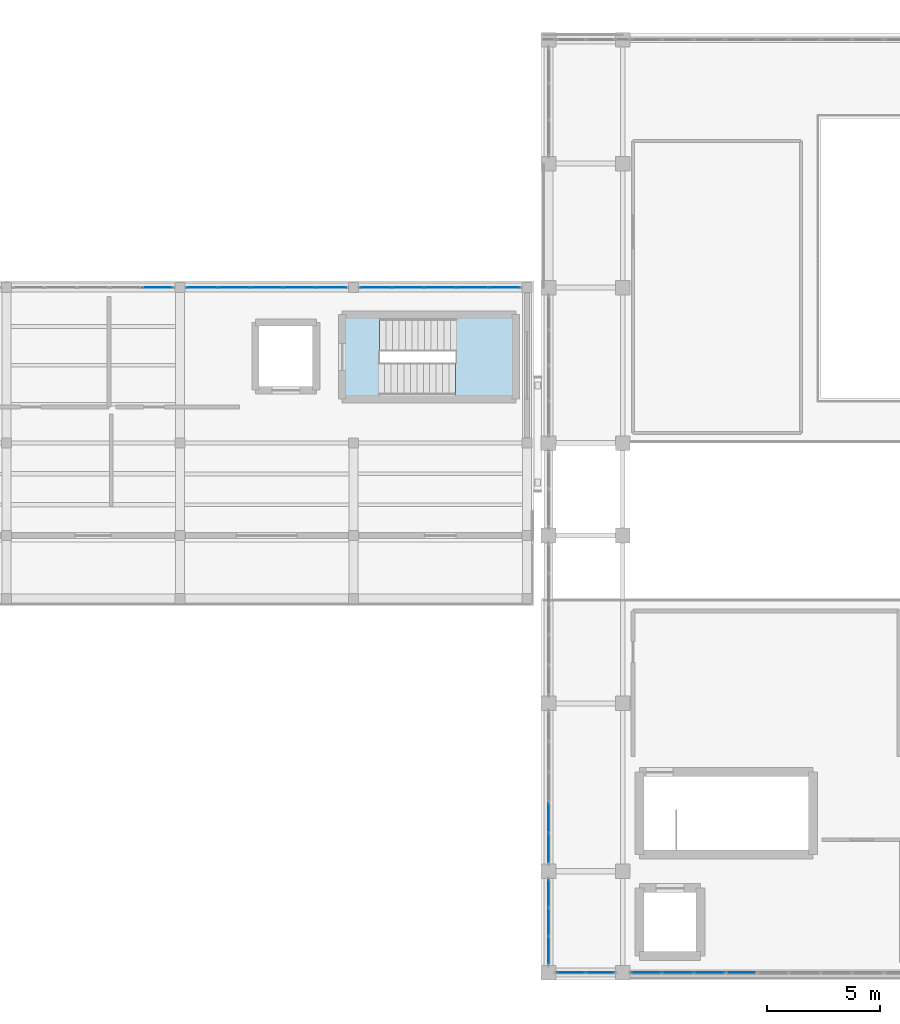
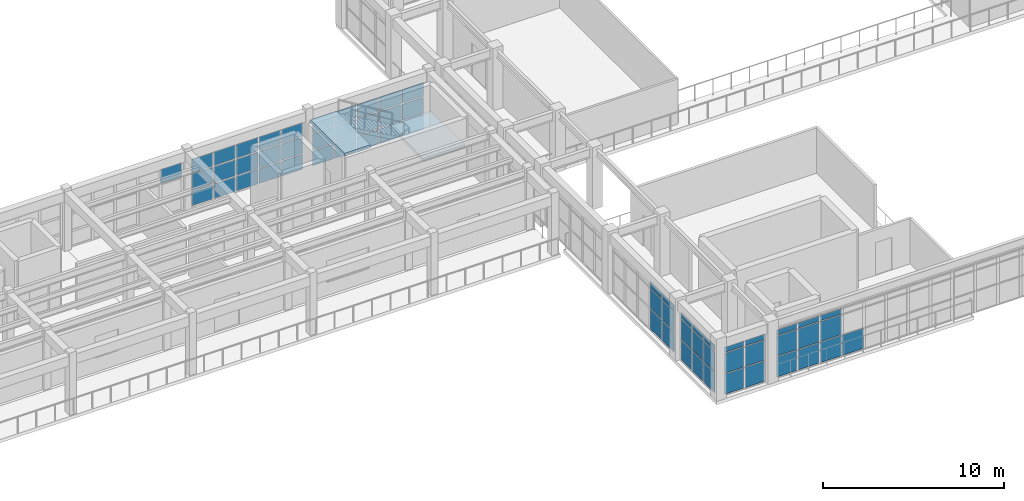
# One storey, part 41 of 66: 62 plates, 2 slabs, 8 elements without a shape of their own.
"""IFC4 building model written with IfcOpenShell, lengths in metres."""

from ifc_helpers import new_model, si_unit, direction, frame, origin, origin_2d, place, context, subcontext, project, spatial, polyline, rectangle, outline, extrude, material, layer, layer_set, type_object, element, aggregate, save


model = new_model("IFC4")

# Units and contexts
model_context = context("Model", 3, precision=1e-05, world=origin(), true_north=direction((0.0, 1.0)))
body_context = subcontext(model_context, "Body", "Model", "MODEL_VIEW")
ifc_project = project(units=[si_unit("LENGTHUNIT", "METRE"), si_unit("AREAUNIT", "SQUARE_METRE"), si_unit("VOLUMEUNIT", "CUBIC_METRE"), si_unit("PLANEANGLEUNIT", "RADIAN"), si_unit("MASSUNIT", "GRAM", prefix="KILO")], contexts=[model_context])

# Site, building, storey
site_placement = place(None, origin())
site = spatial("IfcSite", under=ifc_project, at=site_placement, CompositionType="ELEMENT")
building_placement = place(site_placement, origin())
building = spatial("IfcBuilding", under=site, at=building_placement, Name="Candilejo Ridge Gondola Terminal", CompositionType="ELEMENT")
storey_placement = place(building_placement, frame((0.0, 0.0, 14.39990234375)))
storey = spatial("IfcBuildingStorey", under=building, at=storey_placement, Name="L03", CompositionType="ELEMENT", Elevation=14.39990234375)

# Curtain wall, plate
ifc_material_1 = material(Name="Anodised aluminium AA 6063-T6", Category="aluminium")
ifc_layer_1 = layer(ifc_material_1, 0.169921875)
ifc_layer_set_1 = layer_set([ifc_layer_1], Name="ARC-CW-GALLERY-3200-720X329")
curtain_wall_type_1 = type_object("IfcCurtainWallType", Name="ARC-CW-GALLERY-3200-720X329", PredefinedType="NOTDEFINED", material=ifc_layer_set_1)
curtain_wall_1_placement = place(storey_placement, origin())
curtain_wall_1 = element("IfcCurtainWall", 1, at=curtain_wall_1_placement, inside=storey, type_object=curtain_wall_type_1, Name="Curtain wall V3 L03-097", PredefinedType="NOTDEFINED")
ifc_material_2 = material(Name="Low-E laminated double glazing 6+12A+6+1.52PVB+6 mm", Category="glass")
ifc_layer_2 = layer(ifc_material_2, 0.028076171875)
ifc_layer_set_2 = layer_set([ifc_layer_2], Name="ARC-CW-GLAZ-PANEL")
plate_type = type_object("IfcPlateType", Name="ARC-CW-GLAZ-PANEL", PredefinedType="CURTAIN_PANEL", material=ifc_layer_set_2)
plate_1_placement = place(storey_placement, frame((116.561279296875, 36.699951171875, 2.28759765625), z_axis=(0.0, 0.0, 1.0), x_axis=(1.0, 0.0, 0.0)))
plate_1 = element("IfcPlate", 2, at=plate_1_placement, type_object=plate_type, Name="CW-72X32 panel 5.3", PredefinedType="CURTAIN_PANEL", context=body_context, shape_type="SweptSolid", body=[
    extrude(rectangle(XDim=1.327392578125, YDim=0.028076171875, at=origin_2d()), origin(), (0.0, 0.0, 1.0), 0.927490234375),
])
aggregate(curtain_wall_1, [plate_1])

# Curtain wall, plates
curtain_wall_2_placement = place(storey_placement, origin())
curtain_wall_2 = element("IfcCurtainWall", 3, at=curtain_wall_2_placement, inside=storey, type_object=curtain_wall_type_1, Name="Curtain wall V3 L03-098", PredefinedType="NOTDEFINED")
plate_2_placement = place(storey_placement, frame((118.538818359375, 36.699951171875, 0.0751953125), z_axis=(0.0, 0.0, 1.0), x_axis=(1.0, 0.0, 0.0)))
plate_2 = element("IfcPlate", 4, at=plate_2_placement, type_object=plate_type, Name="CW-72X32 panel 1.1", PredefinedType="CURTAIN_PANEL", context=body_context, shape_type="SweptSolid", body=[
    extrude(rectangle(XDim=1.327392578125, YDim=0.028076171875, at=origin_2d()), origin(), (0.0, 0.0, 1.0), 0.987548828125),
])
plate_3_placement = place(storey_placement, frame((118.538818359375, 36.699951171875, 1.1376953125), z_axis=(0.0, 0.0, 1.0), x_axis=(1.0, 0.0, 0.0)))
plate_3 = element("IfcPlate", 5, at=plate_3_placement, type_object=plate_type, Name="CW-72X32 panel 1.2", PredefinedType="CURTAIN_PANEL", context=body_context, shape_type="SweptSolid", body=[
    extrude(rectangle(XDim=1.327392578125, YDim=0.028076171875, at=origin_2d()), origin(), (0.0, 0.0, 1.0), 1.074951171875),
])
plate_4_placement = place(storey_placement, frame((118.538818359375, 36.699951171875, 2.28759765625), z_axis=(0.0, 0.0, 1.0), x_axis=(1.0, 0.0, 0.0)))
plate_4 = element("IfcPlate", 6, at=plate_4_placement, type_object=plate_type, Name="CW-72X32 panel 1.3", PredefinedType="CURTAIN_PANEL", context=body_context, shape_type="SweptSolid", body=[
    extrude(rectangle(XDim=1.327392578125, YDim=0.028076171875, at=origin_2d()), origin(), (0.0, 0.0, 1.0), 0.927490234375),
])
plate_5_placement = place(storey_placement, frame((119.9599609375, 36.699951171875, 0.0751953125), z_axis=(0.0, 0.0, 1.0), x_axis=(1.0, 0.0, 0.0)))
plate_5 = element("IfcPlate", 7, at=plate_5_placement, type_object=plate_type, Name="CW-72X32 panel 2.1", PredefinedType="CURTAIN_PANEL", context=body_context, shape_type="SweptSolid", body=[
    extrude(rectangle(XDim=1.364990234375, YDim=0.028076171875, at=origin_2d()), origin(), (0.0, 0.0, 1.0), 0.987548828125),
])
plate_6_placement = place(storey_placement, frame((119.9599609375, 36.699951171875, 1.1376953125), z_axis=(0.0, 0.0, 1.0), x_axis=(1.0, 0.0, 0.0)))
plate_6 = element("IfcPlate", 8, at=plate_6_placement, type_object=plate_type, Name="CW-72X32 panel 2.2", PredefinedType="CURTAIN_PANEL", context=body_context, shape_type="SweptSolid", body=[
    extrude(rectangle(XDim=1.364990234375, YDim=0.028076171875, at=origin_2d()), origin(), (0.0, 0.0, 1.0), 1.074951171875),
])
plate_7_placement = place(storey_placement, frame((119.9599609375, 36.699951171875, 2.28759765625), z_axis=(0.0, 0.0, 1.0), x_axis=(1.0, 0.0, 0.0)))
plate_7 = element("IfcPlate", 9, at=plate_7_placement, type_object=plate_type, Name="CW-72X32 panel 2.3", PredefinedType="CURTAIN_PANEL", context=body_context, shape_type="SweptSolid", body=[
    extrude(rectangle(XDim=1.364990234375, YDim=0.028076171875, at=origin_2d()), origin(), (0.0, 0.0, 1.0), 0.927490234375),
])
plate_8_placement = place(storey_placement, frame((121.39990234375, 36.699951171875, 0.0751953125), z_axis=(0.0, 0.0, 1.0), x_axis=(1.0, 0.0, 0.0)))
plate_8 = element("IfcPlate", 10, at=plate_8_placement, type_object=plate_type, Name="CW-72X32 panel 3.1", PredefinedType="CURTAIN_PANEL", context=body_context, shape_type="SweptSolid", body=[
    extrude(rectangle(XDim=1.364990234375, YDim=0.028076171875, at=origin_2d()), origin(), (0.0, 0.0, 1.0), 0.987548828125),
])
plate_9_placement = place(storey_placement, frame((121.39990234375, 36.699951171875, 1.1376953125), z_axis=(0.0, 0.0, 1.0), x_axis=(1.0, 0.0, 0.0)))
plate_9 = element("IfcPlate", 11, at=plate_9_placement, type_object=plate_type, Name="CW-72X32 panel 3.2", PredefinedType="CURTAIN_PANEL", context=body_context, shape_type="SweptSolid", body=[
    extrude(rectangle(XDim=1.364990234375, YDim=0.028076171875, at=origin_2d()), origin(), (0.0, 0.0, 1.0), 1.074951171875),
])
plate_10_placement = place(storey_placement, frame((121.39990234375, 36.699951171875, 2.28759765625), z_axis=(0.0, 0.0, 1.0), x_axis=(1.0, 0.0, 0.0)))
plate_10 = element("IfcPlate", 12, at=plate_10_placement, type_object=plate_type, Name="CW-72X32 panel 3.3", PredefinedType="CURTAIN_PANEL", context=body_context, shape_type="SweptSolid", body=[
    extrude(rectangle(XDim=1.364990234375, YDim=0.028076171875, at=origin_2d()), origin(), (0.0, 0.0, 1.0), 0.927490234375),
])
plate_11_placement = place(storey_placement, frame((122.840087890625, 36.699951171875, 0.0751953125), z_axis=(0.0, 0.0, 1.0), x_axis=(1.0, 0.0, 0.0)))
plate_11 = element("IfcPlate", 13, at=plate_11_placement, type_object=plate_type, Name="CW-72X32 panel 4.1", PredefinedType="CURTAIN_PANEL", context=body_context, shape_type="SweptSolid", body=[
    extrude(rectangle(XDim=1.364990234375, YDim=0.028076171875, at=origin_2d()), origin(), (0.0, 0.0, 1.0), 0.987548828125),
])
plate_12_placement = place(storey_placement, frame((122.840087890625, 36.699951171875, 1.1376953125), z_axis=(0.0, 0.0, 1.0), x_axis=(1.0, 0.0, 0.0)))
plate_12 = element("IfcPlate", 14, at=plate_12_placement, type_object=plate_type, Name="CW-72X32 panel 4.2", PredefinedType="CURTAIN_PANEL", context=body_context, shape_type="SweptSolid", body=[
    extrude(rectangle(XDim=1.364990234375, YDim=0.028076171875, at=origin_2d()), origin(), (0.0, 0.0, 1.0), 1.074951171875),
])
plate_13_placement = place(storey_placement, frame((122.840087890625, 36.699951171875, 2.28759765625), z_axis=(0.0, 0.0, 1.0), x_axis=(1.0, 0.0, 0.0)))
plate_13 = element("IfcPlate", 15, at=plate_13_placement, type_object=plate_type, Name="CW-72X32 panel 4.3", PredefinedType="CURTAIN_PANEL", context=body_context, shape_type="SweptSolid", body=[
    extrude(rectangle(XDim=1.364990234375, YDim=0.028076171875, at=origin_2d()), origin(), (0.0, 0.0, 1.0), 0.927490234375),
])
plate_14_placement = place(storey_placement, frame((124.26123046875, 36.699951171875, 0.0751953125), z_axis=(0.0, 0.0, 1.0), x_axis=(1.0, 0.0, 0.0)))
plate_14 = element("IfcPlate", 16, at=plate_14_placement, type_object=plate_type, Name="CW-72X32 panel 5.1", PredefinedType="CURTAIN_PANEL", context=body_context, shape_type="SweptSolid", body=[
    extrude(rectangle(XDim=1.327392578125, YDim=0.028076171875, at=origin_2d()), origin(), (0.0, 0.0, 1.0), 0.987548828125),
])
plate_15_placement = place(storey_placement, frame((124.26123046875, 36.699951171875, 1.1376953125), z_axis=(0.0, 0.0, 1.0), x_axis=(1.0, 0.0, 0.0)))
plate_15 = element("IfcPlate", 17, at=plate_15_placement, type_object=plate_type, Name="CW-72X32 panel 5.2", PredefinedType="CURTAIN_PANEL", context=body_context, shape_type="SweptSolid", body=[
    extrude(rectangle(XDim=1.327392578125, YDim=0.028076171875, at=origin_2d()), origin(), (0.0, 0.0, 1.0), 1.074951171875),
])
plate_16_placement = place(storey_placement, frame((124.26123046875, 36.699951171875, 2.28759765625), z_axis=(0.0, 0.0, 1.0), x_axis=(1.0, 0.0, 0.0)))
plate_16 = element("IfcPlate", 18, at=plate_16_placement, type_object=plate_type, Name="CW-72X32 panel 5.3", PredefinedType="CURTAIN_PANEL", context=body_context, shape_type="SweptSolid", body=[
    extrude(rectangle(XDim=1.327392578125, YDim=0.028076171875, at=origin_2d()), origin(), (0.0, 0.0, 1.0), 0.927490234375),
])
aggregate(curtain_wall_2, [plate_2, plate_3, plate_4, plate_5, plate_6, plate_7, plate_8, plate_9, plate_10, plate_11, plate_12, plate_13, plate_14, plate_15, plate_16])

curtain_wall_3_placement = place(storey_placement, origin())
curtain_wall_3 = element("IfcCurtainWall", 19, at=curtain_wall_3_placement, inside=storey, type_object=curtain_wall_type_1, Name="Curtain wall V3 L03-099", PredefinedType="NOTDEFINED")
plate_17_placement = place(storey_placement, frame((126.23876953125, 36.699951171875, 0.0751953125), z_axis=(0.0, 0.0, 1.0), x_axis=(1.0, 0.0, 0.0)))
plate_17 = element("IfcPlate", 20, at=plate_17_placement, type_object=plate_type, Name="CW-72X32 panel 1.1", PredefinedType="CURTAIN_PANEL", context=body_context, shape_type="SweptSolid", body=[
    extrude(rectangle(XDim=1.327392578125, YDim=0.028076171875, at=origin_2d()), origin(), (0.0, 0.0, 1.0), 0.987548828125),
])
plate_18_placement = place(storey_placement, frame((126.23876953125, 36.699951171875, 1.1376953125), z_axis=(0.0, 0.0, 1.0), x_axis=(1.0, 0.0, 0.0)))
plate_18 = element("IfcPlate", 21, at=plate_18_placement, type_object=plate_type, Name="CW-72X32 panel 1.2", PredefinedType="CURTAIN_PANEL", context=body_context, shape_type="SweptSolid", body=[
    extrude(rectangle(XDim=1.327392578125, YDim=0.028076171875, at=origin_2d()), origin(), (0.0, 0.0, 1.0), 1.074951171875),
])
plate_19_placement = place(storey_placement, frame((126.23876953125, 36.699951171875, 2.28759765625), z_axis=(0.0, 0.0, 1.0), x_axis=(1.0, 0.0, 0.0)))
plate_19 = element("IfcPlate", 22, at=plate_19_placement, type_object=plate_type, Name="CW-72X32 panel 1.3", PredefinedType="CURTAIN_PANEL", context=body_context, shape_type="SweptSolid", body=[
    extrude(rectangle(XDim=1.327392578125, YDim=0.028076171875, at=origin_2d()), origin(), (0.0, 0.0, 1.0), 0.927490234375),
])
plate_20_placement = place(storey_placement, frame((127.659912109375, 36.699951171875, 0.0751953125), z_axis=(0.0, 0.0, 1.0), x_axis=(1.0, 0.0, 0.0)))
plate_20 = element("IfcPlate", 23, at=plate_20_placement, type_object=plate_type, Name="CW-72X32 panel 2.1", PredefinedType="CURTAIN_PANEL", context=body_context, shape_type="SweptSolid", body=[
    extrude(rectangle(XDim=1.364990234375, YDim=0.028076171875, at=origin_2d()), origin(), (0.0, 0.0, 1.0), 0.987548828125),
])
plate_21_placement = place(storey_placement, frame((127.659912109375, 36.699951171875, 1.1376953125), z_axis=(0.0, 0.0, 1.0), x_axis=(1.0, 0.0, 0.0)))
plate_21 = element("IfcPlate", 24, at=plate_21_placement, type_object=plate_type, Name="CW-72X32 panel 2.2", PredefinedType="CURTAIN_PANEL", context=body_context, shape_type="SweptSolid", body=[
    extrude(rectangle(XDim=1.364990234375, YDim=0.028076171875, at=origin_2d()), origin(), (0.0, 0.0, 1.0), 1.074951171875),
])
plate_22_placement = place(storey_placement, frame((127.659912109375, 36.699951171875, 2.28759765625), z_axis=(0.0, 0.0, 1.0), x_axis=(1.0, 0.0, 0.0)))
plate_22 = element("IfcPlate", 25, at=plate_22_placement, type_object=plate_type, Name="CW-72X32 panel 2.3", PredefinedType="CURTAIN_PANEL", context=body_context, shape_type="SweptSolid", body=[
    extrude(rectangle(XDim=1.364990234375, YDim=0.028076171875, at=origin_2d()), origin(), (0.0, 0.0, 1.0), 0.927490234375),
])
plate_23_placement = place(storey_placement, frame((129.10009765625, 36.699951171875, 0.0751953125), z_axis=(0.0, 0.0, 1.0), x_axis=(1.0, 0.0, 0.0)))
plate_23 = element("IfcPlate", 26, at=plate_23_placement, type_object=plate_type, Name="CW-72X32 panel 3.1", PredefinedType="CURTAIN_PANEL", context=body_context, shape_type="SweptSolid", body=[
    extrude(rectangle(XDim=1.364990234375, YDim=0.028076171875, at=origin_2d()), origin(), (0.0, 0.0, 1.0), 0.987548828125),
])
plate_24_placement = place(storey_placement, frame((129.10009765625, 36.699951171875, 1.1376953125), z_axis=(0.0, 0.0, 1.0), x_axis=(1.0, 0.0, 0.0)))
plate_24 = element("IfcPlate", 27, at=plate_24_placement, type_object=plate_type, Name="CW-72X32 panel 3.2", PredefinedType="CURTAIN_PANEL", context=body_context, shape_type="SweptSolid", body=[
    extrude(rectangle(XDim=1.364990234375, YDim=0.028076171875, at=origin_2d()), origin(), (0.0, 0.0, 1.0), 1.074951171875),
])
plate_25_placement = place(storey_placement, frame((129.10009765625, 36.699951171875, 2.28759765625), z_axis=(0.0, 0.0, 1.0), x_axis=(1.0, 0.0, 0.0)))
plate_25 = element("IfcPlate", 28, at=plate_25_placement, type_object=plate_type, Name="CW-72X32 panel 3.3", PredefinedType="CURTAIN_PANEL", context=body_context, shape_type="SweptSolid", body=[
    extrude(rectangle(XDim=1.364990234375, YDim=0.028076171875, at=origin_2d()), origin(), (0.0, 0.0, 1.0), 0.927490234375),
])
plate_26_placement = place(storey_placement, frame((130.5400390625, 36.699951171875, 0.0751953125), z_axis=(0.0, 0.0, 1.0), x_axis=(1.0, 0.0, 0.0)))
plate_26 = element("IfcPlate", 29, at=plate_26_placement, type_object=plate_type, Name="CW-72X32 panel 4.1", PredefinedType="CURTAIN_PANEL", context=body_context, shape_type="SweptSolid", body=[
    extrude(rectangle(XDim=1.364990234375, YDim=0.028076171875, at=origin_2d()), origin(), (0.0, 0.0, 1.0), 0.987548828125),
])
plate_27_placement = place(storey_placement, frame((130.5400390625, 36.699951171875, 1.1376953125), z_axis=(0.0, 0.0, 1.0), x_axis=(1.0, 0.0, 0.0)))
plate_27 = element("IfcPlate", 30, at=plate_27_placement, type_object=plate_type, Name="CW-72X32 panel 4.2", PredefinedType="CURTAIN_PANEL", context=body_context, shape_type="SweptSolid", body=[
    extrude(rectangle(XDim=1.364990234375, YDim=0.028076171875, at=origin_2d()), origin(), (0.0, 0.0, 1.0), 1.074951171875),
])
plate_28_placement = place(storey_placement, frame((130.5400390625, 36.699951171875, 2.28759765625), z_axis=(0.0, 0.0, 1.0), x_axis=(1.0, 0.0, 0.0)))
plate_28 = element("IfcPlate", 31, at=plate_28_placement, type_object=plate_type, Name="CW-72X32 panel 4.3", PredefinedType="CURTAIN_PANEL", context=body_context, shape_type="SweptSolid", body=[
    extrude(rectangle(XDim=1.364990234375, YDim=0.028076171875, at=origin_2d()), origin(), (0.0, 0.0, 1.0), 0.927490234375),
])
plate_29_placement = place(storey_placement, frame((131.961181640625, 36.699951171875, 0.0751953125), z_axis=(0.0, 0.0, 1.0), x_axis=(1.0, 0.0, 0.0)))
plate_29 = element("IfcPlate", 32, at=plate_29_placement, type_object=plate_type, Name="CW-72X32 panel 5.1", PredefinedType="CURTAIN_PANEL", context=body_context, shape_type="SweptSolid", body=[
    extrude(rectangle(XDim=1.327392578125, YDim=0.028076171875, at=origin_2d()), origin(), (0.0, 0.0, 1.0), 0.987548828125),
])
plate_30_placement = place(storey_placement, frame((131.961181640625, 36.699951171875, 1.1376953125), z_axis=(0.0, 0.0, 1.0), x_axis=(1.0, 0.0, 0.0)))
plate_30 = element("IfcPlate", 33, at=plate_30_placement, type_object=plate_type, Name="CW-72X32 panel 5.2", PredefinedType="CURTAIN_PANEL", context=body_context, shape_type="SweptSolid", body=[
    extrude(rectangle(XDim=1.327392578125, YDim=0.028076171875, at=origin_2d()), origin(), (0.0, 0.0, 1.0), 1.074951171875),
])
plate_31_placement = place(storey_placement, frame((131.961181640625, 36.699951171875, 2.28759765625), z_axis=(0.0, 0.0, 1.0), x_axis=(1.0, 0.0, 0.0)))
plate_31 = element("IfcPlate", 34, at=plate_31_placement, type_object=plate_type, Name="CW-72X32 panel 5.3", PredefinedType="CURTAIN_PANEL", context=body_context, shape_type="SweptSolid", body=[
    extrude(rectangle(XDim=1.327392578125, YDim=0.028076171875, at=origin_2d()), origin(), (0.0, 0.0, 1.0), 0.927490234375),
])
aggregate(curtain_wall_3, [plate_17, plate_18, plate_19, plate_20, plate_21, plate_22, plate_23, plate_24, plate_25, plate_26, plate_27, plate_28, plate_29, plate_30, plate_31])

ifc_material_3 = material(Name="Anodised aluminium AA 6063-T6", Category="aluminium")
ifc_layer_3 = layer(ifc_material_3, 0.169921875)
ifc_layer_set_3 = layer_set([ifc_layer_3], Name="ARC-CW-HALL-3800-385X329")
curtain_wall_type_2 = type_object("IfcCurtainWallType", Name="ARC-CW-HALL-3800-385X329", PredefinedType="NOTDEFINED", material=ifc_layer_set_3)
curtain_wall_4_placement = place(storey_placement, origin())
curtain_wall_4 = element("IfcCurtainWall", 35, at=curtain_wall_4_placement, inside=storey, type_object=curtain_wall_type_2, Name="Curtain wall V4 L03-152", PredefinedType="NOTDEFINED")
plate_32_placement = place(storey_placement, frame((133.89990234375, 7.282958984375, 0.06005859375), z_axis=(0.0, 0.0, 1.0), x_axis=(0.0, 1.0, 0.0)))
plate_32 = element("IfcPlate", 36, at=plate_32_placement, type_object=plate_type, Name="CW-38X32 panel 1.1", PredefinedType="CURTAIN_PANEL", context=body_context, shape_type="SweptSolid", body=[
    extrude(rectangle(XDim=1.185791015625, YDim=0.028076171875, at=origin_2d()), origin(), (0.0, 0.0, 1.0), 1.360107421875),
])
plate_33_placement = place(storey_placement, frame((133.89990234375, 7.282958984375, 1.47998046875), z_axis=(0.0, 0.0, 1.0), x_axis=(0.0, 1.0, 0.0)))
plate_33 = element("IfcPlate", 37, at=plate_33_placement, type_object=plate_type, Name="CW-38X32 panel 1.2", PredefinedType="CURTAIN_PANEL", context=body_context, shape_type="SweptSolid", body=[
    extrude(rectangle(XDim=1.185791015625, YDim=0.028076171875, at=origin_2d()), origin(), (0.0, 0.0, 1.0), 1.340087890625),
])
plate_34_placement = place(storey_placement, frame((133.89990234375, 7.282958984375, 2.880126953125), z_axis=(0.0, 0.0, 1.0), x_axis=(0.0, 1.0, 0.0)))
plate_34 = element("IfcPlate", 38, at=plate_34_placement, type_object=plate_type, Name="CW-38X32 panel 1.3", PredefinedType="CURTAIN_PANEL", context=body_context, shape_type="SweptSolid", body=[
    extrude(rectangle(XDim=1.185791015625, YDim=0.028076171875, at=origin_2d()), origin(), (0.0, 0.0, 1.0), 0.35009765625),
])
plate_35_placement = place(storey_placement, frame((133.89990234375, 8.550048828125, 0.06005859375), z_axis=(0.0, 0.0, 1.0), x_axis=(0.0, 1.0, 0.0)))
plate_35 = element("IfcPlate", 39, at=plate_35_placement, type_object=plate_type, Name="CW-38X32 panel 2.1", PredefinedType="CURTAIN_PANEL", context=body_context, shape_type="SweptSolid", body=[
    extrude(rectangle(XDim=1.21826171875, YDim=0.028076171875, at=origin_2d()), origin(), (0.0, 0.0, 1.0), 1.360107421875),
])
plate_36_placement = place(storey_placement, frame((133.89990234375, 8.550048828125, 1.47998046875), z_axis=(0.0, 0.0, 1.0), x_axis=(0.0, 1.0, 0.0)))
plate_36 = element("IfcPlate", 40, at=plate_36_placement, type_object=plate_type, Name="CW-38X32 panel 2.2", PredefinedType="CURTAIN_PANEL", context=body_context, shape_type="SweptSolid", body=[
    extrude(rectangle(XDim=1.21826171875, YDim=0.028076171875, at=origin_2d()), origin(), (0.0, 0.0, 1.0), 1.340087890625),
])
plate_37_placement = place(storey_placement, frame((133.89990234375, 8.550048828125, 2.880126953125), z_axis=(0.0, 0.0, 1.0), x_axis=(0.0, 1.0, 0.0)))
plate_37 = element("IfcPlate", 41, at=plate_37_placement, type_object=plate_type, Name="CW-38X32 panel 2.3", PredefinedType="CURTAIN_PANEL", context=body_context, shape_type="SweptSolid", body=[
    extrude(rectangle(XDim=1.21826171875, YDim=0.028076171875, at=origin_2d()), origin(), (0.0, 0.0, 1.0), 0.35009765625),
])
plate_38_placement = place(storey_placement, frame((133.89990234375, 9.817138671875, 0.06005859375), z_axis=(0.0, 0.0, 1.0), x_axis=(0.0, 1.0, 0.0)))
plate_38 = element("IfcPlate", 42, at=plate_38_placement, type_object=plate_type, Name="CW-38X32 panel 3.1", PredefinedType="CURTAIN_PANEL", context=body_context, shape_type="SweptSolid", body=[
    extrude(rectangle(XDim=1.185791015625, YDim=0.028076171875, at=origin_2d()), origin(), (0.0, 0.0, 1.0), 1.360107421875),
])
plate_39_placement = place(storey_placement, frame((133.89990234375, 9.817138671875, 1.47998046875), z_axis=(0.0, 0.0, 1.0), x_axis=(0.0, 1.0, 0.0)))
plate_39 = element("IfcPlate", 43, at=plate_39_placement, type_object=plate_type, Name="CW-38X32 panel 3.2", PredefinedType="CURTAIN_PANEL", context=body_context, shape_type="SweptSolid", body=[
    extrude(rectangle(XDim=1.185791015625, YDim=0.028076171875, at=origin_2d()), origin(), (0.0, 0.0, 1.0), 1.340087890625),
])
plate_40_placement = place(storey_placement, frame((133.89990234375, 9.817138671875, 2.880126953125), z_axis=(0.0, 0.0, 1.0), x_axis=(0.0, 1.0, 0.0)))
plate_40 = element("IfcPlate", 44, at=plate_40_placement, type_object=plate_type, Name="CW-38X32 panel 3.3", PredefinedType="CURTAIN_PANEL", context=body_context, shape_type="SweptSolid", body=[
    extrude(rectangle(XDim=1.185791015625, YDim=0.028076171875, at=origin_2d()), origin(), (0.0, 0.0, 1.0), 0.35009765625),
])
aggregate(curtain_wall_4, [plate_32, plate_33, plate_34, plate_35, plate_36, plate_37, plate_38, plate_39, plate_40])

ifc_material_4 = material(Name="Anodised aluminium AA 6063-T6", Category="aluminium")
ifc_layer_4 = layer(ifc_material_4, 0.169921875)
ifc_layer_set_4 = layer_set([ifc_layer_4], Name="ARC-CW-HALL-3800-680X329")
curtain_wall_type_3 = type_object("IfcCurtainWallType", Name="ARC-CW-HALL-3800-680X329", PredefinedType="NOTDEFINED", material=ifc_layer_set_4)
curtain_wall_5_placement = place(storey_placement, origin())
curtain_wall_5 = element("IfcCurtainWall", 45, at=curtain_wall_5_placement, inside=storey, type_object=curtain_wall_type_3, Name="Curtain wall V4 L03-154", PredefinedType="NOTDEFINED")
plate_41_placement = place(storey_placement, frame((133.89990234375, 11.8212890625, 0.06005859375), z_axis=(0.0, 0.0, 1.0), x_axis=(0.0, 1.0, 0.0)))
plate_41 = element("IfcPlate", 46, at=plate_41_placement, type_object=plate_type, Name="CW-68X32 panel 1.1", PredefinedType="CURTAIN_PANEL", context=body_context, shape_type="SweptSolid", body=[
    extrude(rectangle(XDim=1.262451171875, YDim=0.028076171875, at=origin_2d()), origin(), (0.0, 0.0, 1.0), 1.360107421875),
])
plate_42_placement = place(storey_placement, frame((133.89990234375, 11.8212890625, 1.47998046875), z_axis=(0.0, 0.0, 1.0), x_axis=(0.0, 1.0, 0.0)))
plate_42 = element("IfcPlate", 47, at=plate_42_placement, type_object=plate_type, Name="CW-68X32 panel 1.2", PredefinedType="CURTAIN_PANEL", context=body_context, shape_type="SweptSolid", body=[
    extrude(rectangle(XDim=1.262451171875, YDim=0.028076171875, at=origin_2d()), origin(), (0.0, 0.0, 1.0), 1.340087890625),
])
plate_43_placement = place(storey_placement, frame((133.89990234375, 11.8212890625, 2.880126953125), z_axis=(0.0, 0.0, 1.0), x_axis=(0.0, 1.0, 0.0)))
plate_43 = element("IfcPlate", 48, at=plate_43_placement, type_object=plate_type, Name="CW-68X32 panel 1.3", PredefinedType="CURTAIN_PANEL", context=body_context, shape_type="SweptSolid", body=[
    extrude(rectangle(XDim=1.262451171875, YDim=0.028076171875, at=origin_2d()), origin(), (0.0, 0.0, 1.0), 0.35009765625),
])
plate_44_placement = place(storey_placement, frame((133.89990234375, 13.1650390625, 0.06005859375), z_axis=(0.0, 0.0, 1.0), x_axis=(0.0, 1.0, 0.0)))
plate_44 = element("IfcPlate", 49, at=plate_44_placement, type_object=plate_type, Name="CW-68X32 panel 2.1", PredefinedType="CURTAIN_PANEL", context=body_context, shape_type="SweptSolid", body=[
    extrude(rectangle(XDim=1.294921875, YDim=0.028076171875, at=origin_2d()), origin(), (0.0, 0.0, 1.0), 1.360107421875),
])
plate_45_placement = place(storey_placement, frame((133.89990234375, 13.1650390625, 1.47998046875), z_axis=(0.0, 0.0, 1.0), x_axis=(0.0, 1.0, 0.0)))
plate_45 = element("IfcPlate", 50, at=plate_45_placement, type_object=plate_type, Name="CW-68X32 panel 2.2", PredefinedType="CURTAIN_PANEL", context=body_context, shape_type="SweptSolid", body=[
    extrude(rectangle(XDim=1.294921875, YDim=0.028076171875, at=origin_2d()), origin(), (0.0, 0.0, 1.0), 1.340087890625),
])
plate_46_placement = place(storey_placement, frame((133.89990234375, 13.1650390625, 2.880126953125), z_axis=(0.0, 0.0, 1.0), x_axis=(0.0, 1.0, 0.0)))
plate_46 = element("IfcPlate", 51, at=plate_46_placement, type_object=plate_type, Name="CW-68X32 panel 2.3", PredefinedType="CURTAIN_PANEL", context=body_context, shape_type="SweptSolid", body=[
    extrude(rectangle(XDim=1.294921875, YDim=0.028076171875, at=origin_2d()), origin(), (0.0, 0.0, 1.0), 0.35009765625),
])
aggregate(curtain_wall_5, [plate_41, plate_42, plate_43, plate_44, plate_45, plate_46])

ifc_material_5 = material(Name="Anodised aluminium AA 6063-T6", Category="aluminium")
ifc_layer_5 = layer(ifc_material_5, 0.169921875)
ifc_layer_set_5 = layer_set([ifc_layer_5], Name="ARC-CW-HALL-3800-265X329")
curtain_wall_type_4 = type_object("IfcCurtainWallType", Name="ARC-CW-HALL-3800-265X329", PredefinedType="NOTDEFINED", material=ifc_layer_set_5)
curtain_wall_6_placement = place(storey_placement, origin())
curtain_wall_6 = element("IfcCurtainWall", 52, at=curtain_wall_6_placement, inside=storey, type_object=curtain_wall_type_4, Name="Curtain wall V4 L03-164", PredefinedType="NOTDEFINED")
plate_47_placement = place(storey_placement, frame((134.90380859375, 6.300048828125, 0.06005859375), z_axis=(0.0, 0.0, 1.0), x_axis=(1.0, 0.0, 0.0)))
plate_47 = element("IfcPlate", 53, at=plate_47_placement, type_object=plate_type, Name="CW-26X32 panel 1.1", PredefinedType="CURTAIN_PANEL", context=body_context, shape_type="SweptSolid", body=[
    extrude(rectangle(XDim=1.2275390625, YDim=0.028076171875, at=origin_2d()), origin(), (0.0, 0.0, 1.0), 1.360107421875),
])
plate_48_placement = place(storey_placement, frame((134.90380859375, 6.300048828125, 1.47998046875), z_axis=(0.0, 0.0, 1.0), x_axis=(1.0, 0.0, 0.0)))
plate_48 = element("IfcPlate", 54, at=plate_48_placement, type_object=plate_type, Name="CW-26X32 panel 1.2", PredefinedType="CURTAIN_PANEL", context=body_context, shape_type="SweptSolid", body=[
    extrude(rectangle(XDim=1.2275390625, YDim=0.028076171875, at=origin_2d()), origin(), (0.0, 0.0, 1.0), 1.340087890625),
])
plate_49_placement = place(storey_placement, frame((134.90380859375, 6.300048828125, 2.880126953125), z_axis=(0.0, 0.0, 1.0), x_axis=(1.0, 0.0, 0.0)))
plate_49 = element("IfcPlate", 55, at=plate_49_placement, type_object=plate_type, Name="CW-26X32 panel 1.3", PredefinedType="CURTAIN_PANEL", context=body_context, shape_type="SweptSolid", body=[
    extrude(rectangle(XDim=1.2275390625, YDim=0.028076171875, at=origin_2d()), origin(), (0.0, 0.0, 1.0), 0.35009765625),
])
plate_50_placement = place(storey_placement, frame((136.1962890625, 6.300048828125, 0.06005859375), z_axis=(0.0, 0.0, 1.0), x_axis=(1.0, 0.0, 0.0)))
plate_50 = element("IfcPlate", 56, at=plate_50_placement, type_object=plate_type, Name="CW-26X32 panel 2.1", PredefinedType="CURTAIN_PANEL", context=body_context, shape_type="SweptSolid", body=[
    extrude(rectangle(XDim=1.2275390625, YDim=0.028076171875, at=origin_2d()), origin(), (0.0, 0.0, 1.0), 1.360107421875),
])
plate_51_placement = place(storey_placement, frame((136.1962890625, 6.300048828125, 1.47998046875), z_axis=(0.0, 0.0, 1.0), x_axis=(1.0, 0.0, 0.0)))
plate_51 = element("IfcPlate", 57, at=plate_51_placement, type_object=plate_type, Name="CW-26X32 panel 2.2", PredefinedType="CURTAIN_PANEL", context=body_context, shape_type="SweptSolid", body=[
    extrude(rectangle(XDim=1.2275390625, YDim=0.028076171875, at=origin_2d()), origin(), (0.0, 0.0, 1.0), 1.340087890625),
])
plate_52_placement = place(storey_placement, frame((136.1962890625, 6.300048828125, 2.880126953125), z_axis=(0.0, 0.0, 1.0), x_axis=(1.0, 0.0, 0.0)))
plate_52 = element("IfcPlate", 58, at=plate_52_placement, type_object=plate_type, Name="CW-26X32 panel 2.3", PredefinedType="CURTAIN_PANEL", context=body_context, shape_type="SweptSolid", body=[
    extrude(rectangle(XDim=1.2275390625, YDim=0.028076171875, at=origin_2d()), origin(), (0.0, 0.0, 1.0), 0.35009765625),
])
aggregate(curtain_wall_6, [plate_47, plate_48, plate_49, plate_50, plate_51, plate_52])

ifc_material_6 = material(Name="Anodised aluminium AA 6063-T6", Category="aluminium")
ifc_layer_6 = layer(ifc_material_6, 0.169921875)
ifc_layer_set_6 = layer_set([ifc_layer_6], Name="ARC-CW-HALL-3800-1128X329")
curtain_wall_type_5 = type_object("IfcCurtainWallType", Name="ARC-CW-HALL-3800-1128X329", PredefinedType="NOTDEFINED", material=ifc_layer_set_6)
curtain_wall_7_placement = place(storey_placement, origin())
curtain_wall_7 = element("IfcCurtainWall", 59, at=curtain_wall_7_placement, inside=storey, type_object=curtain_wall_type_5, Name="Curtain wall V4 L03-166", PredefinedType="NOTDEFINED")
plate_53_placement = place(storey_placement, frame((138.245849609375, 6.300048828125, 0.06005859375), z_axis=(0.0, 0.0, 1.0), x_axis=(1.0, 0.0, 0.0)))
plate_53 = element("IfcPlate", 60, at=plate_53_placement, type_object=plate_type, Name="CW-112X32 panel 1.1", PredefinedType="CURTAIN_PANEL", context=body_context, shape_type="SweptSolid", body=[
    extrude(rectangle(XDim=1.311767578125, YDim=0.028076171875, at=origin_2d()), origin(), (0.0, 0.0, 1.0), 1.360107421875),
])
plate_54_placement = place(storey_placement, frame((138.245849609375, 6.300048828125, 1.47998046875), z_axis=(0.0, 0.0, 1.0), x_axis=(1.0, 0.0, 0.0)))
plate_54 = element("IfcPlate", 61, at=plate_54_placement, type_object=plate_type, Name="CW-112X32 panel 1.2", PredefinedType="CURTAIN_PANEL", context=body_context, shape_type="SweptSolid", body=[
    extrude(rectangle(XDim=1.311767578125, YDim=0.028076171875, at=origin_2d()), origin(), (0.0, 0.0, 1.0), 1.340087890625),
])
plate_55_placement = place(storey_placement, frame((138.245849609375, 6.300048828125, 2.880126953125), z_axis=(0.0, 0.0, 1.0), x_axis=(1.0, 0.0, 0.0)))
plate_55 = element("IfcPlate", 62, at=plate_55_placement, type_object=plate_type, Name="CW-112X32 panel 1.3", PredefinedType="CURTAIN_PANEL", context=body_context, shape_type="SweptSolid", body=[
    extrude(rectangle(XDim=1.311767578125, YDim=0.028076171875, at=origin_2d()), origin(), (0.0, 0.0, 1.0), 0.35009765625),
])
plate_56_placement = place(storey_placement, frame((139.63916015625, 6.300048828125, 0.06005859375), z_axis=(0.0, 0.0, 1.0), x_axis=(1.0, 0.0, 0.0)))
plate_56 = element("IfcPlate", 63, at=plate_56_placement, type_object=plate_type, Name="CW-112X32 panel 2.1", PredefinedType="CURTAIN_PANEL", context=body_context, shape_type="SweptSolid", body=[
    extrude(rectangle(XDim=1.344482421875, YDim=0.028076171875, at=origin_2d()), origin(), (0.0, 0.0, 1.0), 1.360107421875),
])
plate_57_placement = place(storey_placement, frame((139.63916015625, 6.300048828125, 1.47998046875), z_axis=(0.0, 0.0, 1.0), x_axis=(1.0, 0.0, 0.0)))
plate_57 = element("IfcPlate", 64, at=plate_57_placement, type_object=plate_type, Name="CW-112X32 panel 2.2", PredefinedType="CURTAIN_PANEL", context=body_context, shape_type="SweptSolid", body=[
    extrude(rectangle(XDim=1.344482421875, YDim=0.028076171875, at=origin_2d()), origin(), (0.0, 0.0, 1.0), 1.340087890625),
])
plate_58_placement = place(storey_placement, frame((139.63916015625, 6.300048828125, 2.880126953125), z_axis=(0.0, 0.0, 1.0), x_axis=(1.0, 0.0, 0.0)))
plate_58 = element("IfcPlate", 65, at=plate_58_placement, type_object=plate_type, Name="CW-112X32 panel 2.3", PredefinedType="CURTAIN_PANEL", context=body_context, shape_type="SweptSolid", body=[
    extrude(rectangle(XDim=1.344482421875, YDim=0.028076171875, at=origin_2d()), origin(), (0.0, 0.0, 1.0), 0.35009765625),
])
plate_59_placement = place(storey_placement, frame((141.04833984375, 6.300048828125, 0.06005859375), z_axis=(0.0, 0.0, 1.0), x_axis=(1.0, 0.0, 0.0)))
plate_59 = element("IfcPlate", 66, at=plate_59_placement, type_object=plate_type, Name="CW-112X32 panel 3.1", PredefinedType="CURTAIN_PANEL", context=body_context, shape_type="SweptSolid", body=[
    extrude(rectangle(XDim=1.344482421875, YDim=0.028076171875, at=origin_2d()), origin(), (0.0, 0.0, 1.0), 1.360107421875),
])
plate_60_placement = place(storey_placement, frame((141.04833984375, 6.300048828125, 1.47998046875), z_axis=(0.0, 0.0, 1.0), x_axis=(1.0, 0.0, 0.0)))
plate_60 = element("IfcPlate", 67, at=plate_60_placement, type_object=plate_type, Name="CW-112X32 panel 3.2", PredefinedType="CURTAIN_PANEL", context=body_context, shape_type="SweptSolid", body=[
    extrude(rectangle(XDim=1.344482421875, YDim=0.028076171875, at=origin_2d()), origin(), (0.0, 0.0, 1.0), 1.340087890625),
])
plate_61_placement = place(storey_placement, frame((141.04833984375, 6.300048828125, 2.880126953125), z_axis=(0.0, 0.0, 1.0), x_axis=(1.0, 0.0, 0.0)))
plate_61 = element("IfcPlate", 68, at=plate_61_placement, type_object=plate_type, Name="CW-112X32 panel 3.3", PredefinedType="CURTAIN_PANEL", context=body_context, shape_type="SweptSolid", body=[
    extrude(rectangle(XDim=1.344482421875, YDim=0.028076171875, at=origin_2d()), origin(), (0.0, 0.0, 1.0), 0.35009765625),
])
plate_62_placement = place(storey_placement, frame((142.457763671875, 6.300048828125, 0.06005859375), z_axis=(0.0, 0.0, 1.0), x_axis=(1.0, 0.0, 0.0)))
plate_62 = element("IfcPlate", 69, at=plate_62_placement, type_object=plate_type, Name="CW-112X32 panel 4.1", PredefinedType="CURTAIN_PANEL", context=body_context, shape_type="SweptSolid", body=[
    extrude(rectangle(XDim=1.344482421875, YDim=0.028076171875, at=origin_2d()), origin(), (0.0, 0.0, 1.0), 1.360107421875),
])
aggregate(curtain_wall_7, [plate_53, plate_54, plate_55, plate_56, plate_57, plate_58, plate_59, plate_60, plate_61, plate_62])

# Stair, slabs
ifc_material_7 = material(Name="Concrete f'c 35 MPa (C35/45)", Category="concrete")
stair_type = type_object("IfcStairType", Name="STR-STAIR-1450-4200", PredefinedType="HALF_TURN_STAIR", material=ifc_material_7)
stair_placement = place(storey_placement, origin())
stair = element("IfcStair", 70, at=stair_placement, inside=storey, type_object=stair_type, Name="Enclosed fire exit stair ST-V3B-L03", PredefinedType="HALF_TURN_STAIR")
ifc_material_8 = material(Name="Concrete f'c 35 MPa (C35/45)", Category="concrete")
ifc_layer_7 = layer(ifc_material_8, 0.199951171875)
ifc_layer_set_7 = layer_set([ifc_layer_7], Name="STR-STAIR-LANDING-200")
slab_type = type_object("IfcSlabType", Name="STR-STAIR-LANDING-200", PredefinedType="LANDING", material=ifc_layer_set_7)
slab_1_placement = place(storey_placement, frame((0.0, 0.0, 1.900146484375)))
slab_1 = element("IfcSlab", 71, at=slab_1_placement, type_object=slab_type, Name="Stair half-landing ST-V3B-LND-04", PredefinedType="LANDING", context=body_context, shape_type="SweptSolid", body=[
    extrude(outline(polyline([(129.77001953125, 31.75), (132.449951171875, 31.75), (132.449951171875, 35.5), (129.77001953125, 35.5), (129.77001953125, 31.75)])), origin(), (0.0, 0.0, 1.0), 0.199951171875),
])
slab_2_placement = place(storey_placement, frame((0.0, 0.0, 4.0)))
slab_2 = element("IfcSlab", 72, at=slab_2_placement, type_object=slab_type, Name="Stair floor landing ST-V3B-L03-ARR-L04", PredefinedType="LANDING", context=body_context, shape_type="SweptSolid", body=[
    extrude(outline(polyline([(124.75, 31.75), (126.409912109375, 31.75), (126.409912109375, 35.5), (124.75, 35.5), (124.75, 31.75)])), origin(), (0.0, 0.0, 1.0), 0.2001953125),
])
aggregate(stair, [slab_1, slab_2])

save(model, "model.ifc")
